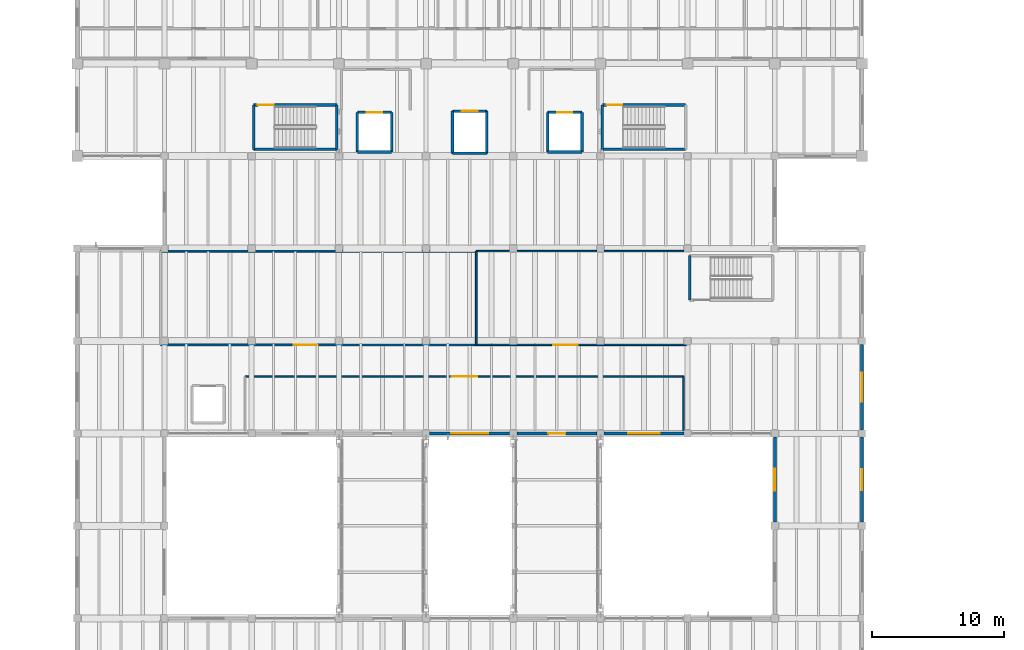
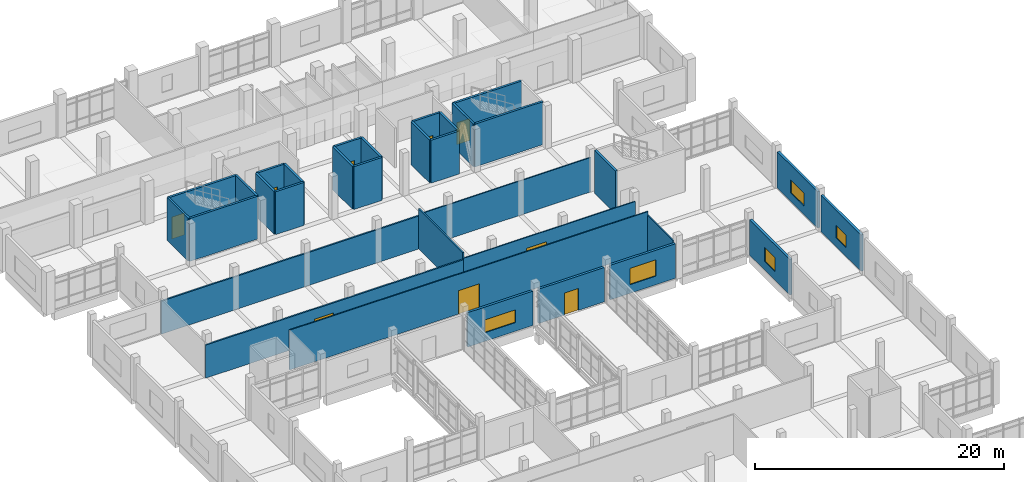
# One storey, part 53 of 67: 33 walls, 9 doors, 5 windows, 14 openings.
"""IFC4 building model written with IfcOpenShell, lengths in metres."""

from ifc_helpers import new_model, si_unit, direction, frame, frame_2d, origin, place, context, subcontext, project, spatial, rectangle, extrude, material, layer, layer_set, type_object, element, fill, save


model = new_model("IFC4")

# Units and contexts
model_context = context("Model", 3, precision=1e-05, world=origin(), true_north=direction((0.0, 1.0)))
body_context = subcontext(model_context, "Body", "Model", "MODEL_VIEW")
ifc_project = project(units=[si_unit("LENGTHUNIT", "METRE"), si_unit("AREAUNIT", "SQUARE_METRE"), si_unit("VOLUMEUNIT", "CUBIC_METRE"), si_unit("PLANEANGLEUNIT", "RADIAN"), si_unit("MASSUNIT", "GRAM", prefix="KILO")], contexts=[model_context])

# Site, building, storey
site_placement = place(None, origin())
site = spatial("IfcSite", under=ifc_project, at=site_placement, CompositionType="ELEMENT")
building_placement = place(site_placement, origin())
building = spatial("IfcBuilding", under=site, at=building_placement, Name="Ciguamira Faculty of Natural Sciences", CompositionType="ELEMENT")
storey_placement = place(building_placement, frame((0.0, 0.0, 8.39990234375)))
storey = spatial("IfcBuildingStorey", under=building, at=storey_placement, Name="L02", CompositionType="ELEMENT", Elevation=8.39990234375)

# Wall, opening, window
ifc_material_1 = material(Name="Precast concrete C40/50", Category="concrete")
ifc_layer_1 = layer(ifc_material_1, 0.219970703125, Name="Precast concrete C40/50")
ifc_layer_set_1 = layer_set([ifc_layer_1], Name="Precast concrete C40/50")
wall_type_1 = type_object("IfcWallType", Name="ExtWall_EW-03_220", PredefinedType="SOLIDWALL", material=ifc_layer_set_1)
wall_1_placement = place(storey_placement, frame((83.97509765625, 73.0, 0.0), z_axis=(0.0, 0.0, 1.0), x_axis=(1.0, 0.0, 0.0)))
wall_1 = element("IfcWall", 1, at=wall_1_placement, inside=storey, type_object=wall_type_1, Name="L02 exterior wall 0222", PredefinedType="SOLIDWALL", context=body_context, shape_type="SweptSolid", body=[
    extrude(rectangle(XDim=6.0498046875, YDim=0.219970703125, at=frame_2d((3.02490234375, 0.0))), origin(), (0.0, 0.0, 1.0), 3.364990234375),
])
opening_1_placement = place(wall_1_placement, frame((1.625, 0.0, 0.85009765625)))
opening_1 = element("IfcOpeningElement", 2, at=opening_1_placement, cuts=wall_1, Name="Opening WT-20", PredefinedType="OPENING", context=body_context, shape_type="SweptSolid", body=[
    extrude(rectangle(XDim=2.800048828125, YDim=1.25, at=frame_2d((1.39990234375, 0.625))), frame((0.0, 0.119873046875, 0.0), z_axis=(0.0, -1.0, 0.0), x_axis=(1.0, 0.0, 0.0)), (0.0, 0.0, 1.0), 0.239990234375),
])
ifc_material_2 = material(Name="Hurricane laminated solar glass", Category="glass")
window_type_1 = type_object("IfcWindowType", Name="Window_WT-20_2800x1250", PartitioningType="DOUBLE_PANEL_VERTICAL", PredefinedType="WINDOW", material=ifc_material_2)
window_1_placement = place(opening_1_placement, origin())
window_1 = element("IfcWindow", 3, at=window_1_placement, inside=storey, type_object=window_type_1, Name="L02 facade window 0130", OverallHeight=1.25, OverallWidth=2.800048828125, PartitioningType="SINGLE_PANEL", PredefinedType="WINDOW", context=body_context, shape_type="SweptSolid", body=[
    extrude(rectangle(XDim=2.800048828125, YDim=1.25, at=frame_2d((1.39990234375, 0.625))), frame((0.0, 0.030029296875, 0.0), z_axis=(0.0, -1.0, 0.0), x_axis=(1.0, 0.0, 0.0)), (0.0, 0.0, 1.0), 0.06005859375),
])
fill(opening_1, window_1)

# Wall, opening, door
wall_2_placement = place(storey_placement, frame((90.574951171875, 73.0, 0.0), z_axis=(0.0, 0.0, 1.0), x_axis=(1.0, 0.0, 0.0)))
wall_2 = element("IfcWall", 4, at=wall_2_placement, inside=storey, type_object=wall_type_1, Name="L02 exterior wall 0223", PredefinedType="SOLIDWALL", context=body_context, shape_type="SweptSolid", body=[
    extrude(rectangle(XDim=6.050048828125, YDim=0.219970703125, at=frame_2d((3.02490234375, 0.0))), origin(), (0.0, 0.0, 1.0), 3.364990234375),
])
opening_2_placement = place(wall_2_placement, frame((2.375, 0.0, 0.0)))
opening_2 = element("IfcOpeningElement", 5, at=opening_2_placement, cuts=wall_2, Name="Opening ED-08", PredefinedType="OPENING", context=body_context, shape_type="SweptSolid", body=[
    extrude(rectangle(XDim=1.300048828125, YDim=2.14990234375, at=frame_2d((0.64990234375, 1.074951171875))), frame((0.0, 0.119873046875, 0.0), z_axis=(0.0, -1.0, 0.0), x_axis=(1.0, 0.0, 0.0)), (0.0, 0.0, 1.0), 0.239990234375),
])
ifc_material_3 = material(Name="Link bridge fire threshold door")
door_type_1 = type_object("IfcDoorType", Name="ExtDoor_ED-08_1300x2150", OperationType="NOTDEFINED", PredefinedType="DOOR", material=ifc_material_3)
door_1_placement = place(opening_2_placement, frame((1.300048828125, 0.0, 0.0), z_axis=(0.0, 0.0, 1.0), x_axis=(-1.0, 0.0, 0.0)))
door_1 = element("IfcDoor", 6, at=door_1_placement, inside=storey, type_object=door_type_1, Name="Bridge BR-2 North Threshold Door", OperationType="DOUBLE_DOOR_SINGLE_SWING", OverallHeight=2.14990234375, OverallWidth=1.300048828125, PredefinedType="DOOR", context=body_context, shape_type="SweptSolid", body=[
    extrude(rectangle(XDim=1.300048828125, YDim=2.14990234375, at=frame_2d((0.64990234375, 1.074951171875))), frame((0.0, 0.02490234375, 0.0), z_axis=(0.0, -1.0, 0.0), x_axis=(1.0, 0.0, 0.0)), (0.0, 0.0, 1.0), 0.050048828125),
])
fill(opening_2, door_1)

# Wall, opening, window
wall_3_placement = place(storey_placement, frame((97.175048828125, 73.0, 0.0), z_axis=(0.0, 0.0, 1.0), x_axis=(1.0, 0.0, 0.0)))
wall_3 = element("IfcWall", 7, at=wall_3_placement, inside=storey, type_object=wall_type_1, Name="L02 exterior wall 0224", PredefinedType="SOLIDWALL", context=body_context, shape_type="SweptSolid", body=[
    extrude(rectangle(XDim=6.050048828125, YDim=0.219970703125, at=frame_2d((3.02490234375, 0.0))), origin(), (0.0, 0.0, 1.0), 3.385009765625),
])
opening_3_placement = place(wall_3_placement, frame((1.824951171875, 0.0, 0.85009765625)))
opening_3 = element("IfcOpeningElement", 8, at=opening_3_placement, cuts=wall_3, Name="Opening WT-23", PredefinedType="OPENING", context=body_context, shape_type="SweptSolid", body=[
    extrude(rectangle(XDim=2.39990234375, YDim=1.60009765625, at=frame_2d((1.199951171875, 0.800048828125))), frame((0.0, 0.119873046875, 0.0), z_axis=(0.0, -1.0, 0.0), x_axis=(1.0, 0.0, 0.0)), (0.0, 0.0, 1.0), 0.239990234375),
])
window_type_2 = type_object("IfcWindowType", Name="Window_WT-23_2400x1600", PartitioningType="DOUBLE_PANEL_VERTICAL", PredefinedType="WINDOW", material=ifc_material_2)
window_2_placement = place(opening_3_placement, origin())
window_2 = element("IfcWindow", 9, at=window_2_placement, inside=storey, type_object=window_type_2, Name="L02 facade window 0131", OverallHeight=1.60009765625, OverallWidth=2.39990234375, PartitioningType="SINGLE_PANEL", PredefinedType="WINDOW", context=body_context, shape_type="SweptSolid", body=[
    extrude(rectangle(XDim=2.39990234375, YDim=1.60009765625, at=frame_2d((1.199951171875, 0.800048828125))), frame((0.0, 0.030029296875, 0.0), z_axis=(0.0, -1.0, 0.0), x_axis=(1.0, 0.0, 0.0)), (0.0, 0.0, 1.0), 0.06005859375),
])
fill(opening_3, window_2)

wall_4_placement = place(storey_placement, frame((110.10009765625, 66.27490234375, 0.0), z_axis=(0.0, 0.0, 1.0), x_axis=(0.0, 1.0, 0.0)))
wall_4 = element("IfcWall", 10, at=wall_4_placement, inside=storey, type_object=wall_type_1, Name="L02 exterior wall 0250", PredefinedType="SOLIDWALL", context=body_context, shape_type="SweptSolid", body=[
    extrude(rectangle(XDim=6.4501953125, YDim=0.219970703125, at=frame_2d((3.22509765625, 0.0))), origin(), (0.0, 0.0, 1.0), 3.465087890625),
])
opening_4_placement = place(wall_4_placement, frame((2.39990234375, 0.0, 0.85009765625)))
opening_4 = element("IfcOpeningElement", 11, at=opening_4_placement, cuts=wall_4, Name="Opening WT-04", PredefinedType="OPENING", context=body_context, shape_type="SweptSolid", body=[
    extrude(rectangle(XDim=1.64990234375, YDim=1.35009765625, at=frame_2d((0.824951171875, 0.675048828125))), frame((0.0, 0.119873046875, 0.0), z_axis=(0.0, -1.0, 0.0), x_axis=(1.0, 0.0, 0.0)), (0.0, 0.0, 1.0), 0.239990234375),
])
window_type_3 = type_object("IfcWindowType", Name="Window_WT-04_1650x1350", PartitioningType="DOUBLE_PANEL_VERTICAL", PredefinedType="WINDOW", material=ifc_material_2)
window_3_placement = place(opening_4_placement, origin())
window_3 = element("IfcWindow", 12, at=window_3_placement, inside=storey, type_object=window_type_3, Name="L02 facade window 0156", OverallHeight=1.35009765625, OverallWidth=1.64990234375, PartitioningType="SINGLE_PANEL", PredefinedType="WINDOW", context=body_context, shape_type="SweptSolid", body=[
    extrude(rectangle(XDim=1.64990234375, YDim=1.35009765625, at=frame_2d((0.824951171875, 0.675048828125))), frame((0.0, 0.030029296875, 0.0), z_axis=(0.0, -1.0, 0.0), x_axis=(1.0, 0.0, 0.0)), (0.0, 0.0, 1.0), 0.06005859375),
])
fill(opening_4, window_3)

wall_5_placement = place(storey_placement, frame((116.699951171875, 66.27490234375, 0.0), z_axis=(0.0, 0.0, 1.0), x_axis=(0.0, 1.0, 0.0)))
wall_5 = element("IfcWall", 13, at=wall_5_placement, inside=storey, type_object=wall_type_1, Name="L02 exterior wall 0256", PredefinedType="SOLIDWALL", context=body_context, shape_type="SweptSolid", body=[
    extrude(rectangle(XDim=6.4501953125, YDim=0.219970703125, at=frame_2d((3.22509765625, 0.0))), origin(), (0.0, 0.0, 1.0), 3.565185546875),
])
opening_5_placement = place(wall_5_placement, frame((2.425048828125, 0.0, 0.85009765625)))
opening_5 = element("IfcOpeningElement", 14, at=opening_5_placement, cuts=wall_5, Name="Opening WT-16", PredefinedType="OPENING", context=body_context, shape_type="SweptSolid", body=[
    extrude(rectangle(XDim=1.60009765625, YDim=1.25, at=frame_2d((0.800048828125, 0.625))), frame((0.0, 0.119873046875, 0.0), z_axis=(0.0, -1.0, 0.0), x_axis=(1.0, 0.0, 0.0)), (0.0, 0.0, 1.0), 0.239990234375),
])
window_type_4 = type_object("IfcWindowType", Name="Window_WT-16_1600x1250", PartitioningType="DOUBLE_PANEL_VERTICAL", PredefinedType="WINDOW", material=ifc_material_2)
window_4_placement = place(opening_5_placement, origin())
window_4 = element("IfcWindow", 15, at=window_4_placement, inside=storey, type_object=window_type_4, Name="L02 facade window 0161", OverallHeight=1.25, OverallWidth=1.60009765625, PartitioningType="SINGLE_PANEL", PredefinedType="WINDOW", context=body_context, shape_type="SweptSolid", body=[
    extrude(rectangle(XDim=1.60009765625, YDim=1.25, at=frame_2d((0.800048828125, 0.625))), frame((0.0, 0.030029296875, 0.0), z_axis=(0.0, -1.0, 0.0), x_axis=(1.0, 0.0, 0.0)), (0.0, 0.0, 1.0), 0.06005859375),
])
fill(opening_5, window_4)

wall_6_placement = place(storey_placement, frame((116.699951171875, 73.27490234375, 0.0), z_axis=(0.0, 0.0, 1.0), x_axis=(0.0, 1.0, 0.0)))
wall_6 = element("IfcWall", 16, at=wall_6_placement, inside=storey, type_object=wall_type_1, Name="L02 exterior wall 0257", PredefinedType="SOLIDWALL", context=body_context, shape_type="SweptSolid", body=[
    extrude(rectangle(XDim=6.4501953125, YDim=0.219970703125, at=frame_2d((3.22509765625, 0.0))), origin(), (0.0, 0.0, 1.0), 3.565185546875),
])
opening_6_placement = place(wall_6_placement, frame((2.125, 0.0, 0.85009765625)))
opening_6 = element("IfcOpeningElement", 17, at=opening_6_placement, cuts=wall_6, Name="Opening WT-18", PredefinedType="OPENING", context=body_context, shape_type="SweptSolid", body=[
    extrude(rectangle(XDim=2.199951171875, YDim=1.25, at=frame_2d((1.10009765625, 0.625))), frame((0.0, 0.119873046875, 0.0), z_axis=(0.0, -1.0, 0.0), x_axis=(1.0, 0.0, 0.0)), (0.0, 0.0, 1.0), 0.239990234375),
])
window_type_5 = type_object("IfcWindowType", Name="Window_WT-18_2200x1250", PartitioningType="DOUBLE_PANEL_VERTICAL", PredefinedType="WINDOW", material=ifc_material_2)
window_5_placement = place(opening_6_placement, origin())
window_5 = element("IfcWindow", 18, at=window_5_placement, inside=storey, type_object=window_type_5, Name="L02 facade window 0162", OverallHeight=1.25, OverallWidth=2.199951171875, PartitioningType="SINGLE_PANEL", PredefinedType="WINDOW", context=body_context, shape_type="SweptSolid", body=[
    extrude(rectangle(XDim=2.199951171875, YDim=1.25, at=frame_2d((1.10009765625, 0.625))), frame((0.0, 0.030029296875, 0.0), z_axis=(0.0, -1.0, 0.0), x_axis=(1.0, 0.0, 0.0)), (0.0, 0.0, 1.0), 0.06005859375),
])
fill(opening_6, window_5)

# Wall
ifc_material_4 = material(Name="Concrete C40/50", Category="concrete")
ifc_layer_2 = layer(ifc_material_4, 0.199951171875, Name="Concrete C40/50")
ifc_layer_set_2 = layer_set([ifc_layer_2], Name="Concrete C40/50")
wall_type_2 = type_object("IfcWallType", Name="IntWall_CW-S20_200", PredefinedType="SHEAR", material=ifc_layer_set_2)
wall_7_placement = place(storey_placement, frame((70.64990234375, 94.5, 0.0), z_axis=(0.0, 0.0, 1.0), x_axis=(1.0, 0.0, 0.0)))
element("IfcWall", 19, at=wall_7_placement, inside=storey, type_object=wall_type_2, Name="L02 ST-T1 core shear wall south", PredefinedType="SHEAR", context=body_context, shape_type="SweptSolid", body=[
    extrude(rectangle(XDim=6.300048828125, YDim=0.199951171875, at=frame_2d((3.14990234375, 0.0))), origin(), (0.0, 0.0, 1.0), 4.2001953125),
])

# Wall, opening, door
wall_8_placement = place(storey_placement, frame((70.64990234375, 97.860107421875, 0.0), z_axis=(0.0, 0.0, 1.0), x_axis=(1.0, 0.0, 0.0)))
wall_8 = element("IfcWall", 20, at=wall_8_placement, inside=storey, type_object=wall_type_2, Name="L02 ST-T1 core shear wall north", PredefinedType="SHEAR", context=body_context, shape_type="SweptSolid", body=[
    extrude(rectangle(XDim=6.300048828125, YDim=0.199951171875, at=frame_2d((3.14990234375, 0.0))), origin(), (0.0, 0.0, 1.0), 4.2001953125),
])
opening_7_placement = place(wall_8_placement, frame((0.320068359375, 0.0, 0.0)))
opening_7 = element("IfcOpeningElement", 21, at=opening_7_placement, cuts=wall_8, Name="Opening ID-14", PredefinedType="OPENING", context=body_context, shape_type="SweptSolid", body=[
    extrude(rectangle(XDim=1.199951171875, YDim=2.14990234375, at=frame_2d((0.60009765625, 1.074951171875))), frame((0.0, 0.10986328125, 0.0), z_axis=(0.0, -1.0, 0.0), x_axis=(1.0, 0.0, 0.0)), (0.0, 0.0, 1.0), 0.219970703125),
])
ifc_material_5 = material(Name="Protected exit stair fire door")
door_type_2 = type_object("IfcDoorType", Name="IntDoor_ID-14_1200x2150", OperationType="NOTDEFINED", PredefinedType="DOOR", material=ifc_material_5)
door_2_placement = place(opening_7_placement, frame((1.199951171875, 0.0, 0.0), z_axis=(0.0, 0.0, 1.0), x_axis=(-1.0, 0.0, 0.0)))
door_2 = element("IfcDoor", 22, at=door_2_placement, inside=storey, type_object=door_type_2, Name="L02 ST-T1 exit stair fire door", OperationType="SINGLE_SWING_RIGHT", OverallHeight=2.14990234375, OverallWidth=1.199951171875, PredefinedType="DOOR", context=body_context, shape_type="SweptSolid", body=[
    extrude(rectangle(XDim=1.199951171875, YDim=2.14990234375, at=frame_2d((0.60009765625, 1.074951171875))), frame((0.0, 0.02490234375, 0.0), z_axis=(0.0, -1.0, 0.0), x_axis=(1.0, 0.0, 0.0)), (0.0, 0.0, 1.0), 0.050048828125),
])
fill(opening_7, door_2)

# Walls
for number, where, z_axis, x_axis, name in (
    (23, (70.64990234375, 94.5, 0.0), (0.0, 0.0, 1.0), (0.0, 1.0, 0.0), "L02 ST-T1 core shear wall west"),
    (24, (76.949951171875, 94.5, 0.0), (0.0, 0.0, 1.0), (0.0, 1.0, 0.0), "L02 ST-T1 core shear wall east"),
):
    element("IfcWall", number, at=place(storey_placement, frame(where, z_axis=z_axis, x_axis=x_axis)), inside=storey, type_object=wall_type_2, Name=name, PredefinedType="SHEAR", context=body_context, shape_type="SweptSolid", body=[
        extrude(rectangle(XDim=3.360107421875, YDim=0.199951171875, at=frame_2d((1.68017578125, 0.0))), origin(), (0.0, 0.0, 1.0), 4.2001953125),
    ])
wall_9_placement = place(storey_placement, frame((97.050048828125, 94.5, 0.0), z_axis=(0.0, 0.0, 1.0), x_axis=(1.0, 0.0, 0.0)))
element("IfcWall", 25, at=wall_9_placement, inside=storey, type_object=wall_type_2, Name="L02 ST-T2 core shear wall south", PredefinedType="SHEAR", context=body_context, shape_type="SweptSolid", body=[
    extrude(rectangle(XDim=6.300048828125, YDim=0.199951171875, at=frame_2d((3.14990234375, 0.0))), origin(), (0.0, 0.0, 1.0), 4.2001953125),
])

# Wall, opening, door
wall_10_placement = place(storey_placement, frame((97.050048828125, 97.860107421875, 0.0), z_axis=(0.0, 0.0, 1.0), x_axis=(1.0, 0.0, 0.0)))
wall_10 = element("IfcWall", 26, at=wall_10_placement, inside=storey, type_object=wall_type_2, Name="L02 ST-T2 core shear wall north", PredefinedType="SHEAR", context=body_context, shape_type="SweptSolid", body=[
    extrude(rectangle(XDim=6.300048828125, YDim=0.199951171875, at=frame_2d((3.14990234375, 0.0))), origin(), (0.0, 0.0, 1.0), 4.2001953125),
])
opening_8_placement = place(wall_10_placement, frame((0.320068359375, 0.0, 0.0)))
opening_8 = element("IfcOpeningElement", 27, at=opening_8_placement, cuts=wall_10, Name="Opening ID-14", PredefinedType="OPENING", context=body_context, shape_type="SweptSolid", body=[
    extrude(rectangle(XDim=1.199951171875, YDim=2.14990234375, at=frame_2d((0.60009765625, 1.074951171875))), frame((0.0, 0.10986328125, 0.0), z_axis=(0.0, -1.0, 0.0), x_axis=(1.0, 0.0, 0.0)), (0.0, 0.0, 1.0), 0.219970703125),
])
door_3_placement = place(opening_8_placement, frame((1.199951171875, 0.0, 0.0), z_axis=(0.0, 0.0, 1.0), x_axis=(-1.0, 0.0, 0.0)))
door_3 = element("IfcDoor", 28, at=door_3_placement, inside=storey, type_object=door_type_2, Name="L02 ST-T2 exit stair fire door", OperationType="SINGLE_SWING_LEFT", OverallHeight=2.14990234375, OverallWidth=1.199951171875, PredefinedType="DOOR", context=body_context, shape_type="SweptSolid", body=[
    extrude(rectangle(XDim=1.199951171875, YDim=2.14990234375, at=frame_2d((0.60009765625, 1.074951171875))), frame((0.0, 0.02490234375, 0.0), z_axis=(0.0, -1.0, 0.0), x_axis=(1.0, 0.0, 0.0)), (0.0, 0.0, 1.0), 0.050048828125),
])
fill(opening_8, door_3)

# Walls
wall_11_placement = place(storey_placement, frame((97.050048828125, 94.5, 0.0), z_axis=(0.0, 0.0, 1.0), x_axis=(0.0, 1.0, 0.0)))
element("IfcWall", 29, at=wall_11_placement, inside=storey, type_object=wall_type_2, Name="L02 ST-T2 core shear wall west", PredefinedType="SHEAR", context=body_context, shape_type="SweptSolid", body=[
    extrude(rectangle(XDim=3.360107421875, YDim=0.199951171875, at=frame_2d((1.68017578125, 0.0))), origin(), (0.0, 0.0, 1.0), 4.2001953125),
])
wall_12_placement = place(storey_placement, frame((103.64990234375, 83.10009765625, 0.0), z_axis=(0.0, 0.0, 1.0), x_axis=(0.0, 1.0, 0.0)))
element("IfcWall", 30, at=wall_12_placement, inside=storey, type_object=wall_type_2, Name="L02 ST-W2 core shear wall west", PredefinedType="SHEAR", context=body_context, shape_type="SweptSolid", body=[
    extrude(rectangle(XDim=3.35986328125, YDim=0.199951171875, at=frame_2d((1.679931640625, 0.0))), origin(), (0.0, 0.0, 1.0), 4.2001953125),
])
wall_13_placement = place(storey_placement, frame((78.5, 94.300048828125, 0.0), z_axis=(0.0, 0.0, 1.0), x_axis=(1.0, 0.0, 0.0)))
element("IfcWall", 31, at=wall_13_placement, inside=storey, type_object=wall_type_2, Name="L02 EL-FF1 hoistway wall south", PredefinedType="SHEAR", context=body_context, shape_type="SweptSolid", body=[
    extrude(rectangle(XDim=2.60009765625, YDim=0.199951171875, at=frame_2d((1.300048828125, 0.0))), origin(), (0.0, 0.0, 1.0), 4.2001953125),
])

# Wall, opening, door
wall_14_placement = place(storey_placement, frame((78.5, 97.300048828125, 0.0), z_axis=(0.0, 0.0, 1.0), x_axis=(1.0, 0.0, 0.0)))
wall_14 = element("IfcWall", 32, at=wall_14_placement, inside=storey, type_object=wall_type_2, Name="L02 EL-FF1 hoistway wall north", PredefinedType="SHEAR", context=body_context, shape_type="SweptSolid", body=[
    extrude(rectangle(XDim=2.60009765625, YDim=0.199951171875, at=frame_2d((1.300048828125, 0.0))), origin(), (0.0, 0.0, 1.0), 4.2001953125),
])
opening_9_placement = place(wall_14_placement, frame((0.72509765625, 0.0, 0.0)))
opening_9 = element("IfcOpeningElement", 33, at=opening_9_placement, cuts=wall_14, Name="Opening LD-03", PredefinedType="OPENING", context=body_context, shape_type="SweptSolid", body=[
    extrude(rectangle(XDim=1.14990234375, YDim=2.199951171875, at=frame_2d((0.574951171875, 1.10009765625))), frame((0.0, 0.10986328125, 0.0), z_axis=(0.0, -1.0, 0.0), x_axis=(1.0, 0.0, 0.0)), (0.0, 0.0, 1.0), 0.219970703125),
])
ifc_material_6 = material(Name="Firefighting lift sliding landing door")
door_type_3 = type_object("IfcDoorType", Name="LiftLandingDoor_LD-03_1150x2200", OperationType="SLIDING_TO_LEFT", PredefinedType="DOOR", material=ifc_material_6)
door_4_placement = place(opening_9_placement, origin())
door_4 = element("IfcDoor", 34, at=door_4_placement, inside=storey, type_object=door_type_3, Name="L02 EL-FF1 elevator landing sliding door", OperationType="SLIDING_TO_LEFT", OverallHeight=2.199951171875, OverallWidth=1.14990234375, PredefinedType="DOOR", context=body_context, shape_type="SweptSolid", body=[
    extrude(rectangle(XDim=1.14990234375, YDim=2.199951171875, at=frame_2d((0.574951171875, 1.10009765625))), frame((0.0, 0.02490234375, 0.0), z_axis=(0.0, -1.0, 0.0), x_axis=(1.0, 0.0, 0.0)), (0.0, 0.0, 1.0), 0.050048828125),
])
fill(opening_9, door_4)

# Walls
for number, where, z_axis, x_axis, name in (
    (35, (78.5, 94.300048828125, 0.0), (0.0, 0.0, 1.0), (0.0, 1.0, 0.0), "L02 EL-FF1 hoistway wall west"),
    (36, (81.10009765625, 94.300048828125, 0.0), (0.0, 0.0, 1.0), (0.0, 1.0, 0.0), "L02 EL-FF1 hoistway wall east"),
):
    element("IfcWall", number, at=place(storey_placement, frame(where, z_axis=z_axis, x_axis=x_axis)), inside=storey, type_object=wall_type_2, Name=name, PredefinedType="SHEAR", context=body_context, shape_type="SweptSolid", body=[
        extrude(rectangle(XDim=3.0, YDim=0.199951171875, at=frame_2d((1.5, 0.0))), origin(), (0.0, 0.0, 1.0), 4.2001953125),
    ])
wall_15_placement = place(storey_placement, frame((92.89990234375, 94.300048828125, 0.0), z_axis=(0.0, 0.0, 1.0), x_axis=(1.0, 0.0, 0.0)))
element("IfcWall", 37, at=wall_15_placement, inside=storey, type_object=wall_type_2, Name="L02 EL-FF2 hoistway wall south", PredefinedType="SHEAR", context=body_context, shape_type="SweptSolid", body=[
    extrude(rectangle(XDim=2.60009765625, YDim=0.199951171875, at=frame_2d((1.300048828125, 0.0))), origin(), (0.0, 0.0, 1.0), 4.2001953125),
])

# Wall, opening, door
wall_16_placement = place(storey_placement, frame((92.89990234375, 97.300048828125, 0.0), z_axis=(0.0, 0.0, 1.0), x_axis=(1.0, 0.0, 0.0)))
wall_16 = element("IfcWall", 38, at=wall_16_placement, inside=storey, type_object=wall_type_2, Name="L02 EL-FF2 hoistway wall north", PredefinedType="SHEAR", context=body_context, shape_type="SweptSolid", body=[
    extrude(rectangle(XDim=2.60009765625, YDim=0.199951171875, at=frame_2d((1.300048828125, 0.0))), origin(), (0.0, 0.0, 1.0), 4.2001953125),
])
opening_10_placement = place(wall_16_placement, frame((0.72509765625, 0.0, 0.0)))
opening_10 = element("IfcOpeningElement", 39, at=opening_10_placement, cuts=wall_16, Name="Opening LD-03", PredefinedType="OPENING", context=body_context, shape_type="SweptSolid", body=[
    extrude(rectangle(XDim=1.14990234375, YDim=2.199951171875, at=frame_2d((0.574951171875, 1.10009765625))), frame((0.0, 0.10986328125, 0.0), z_axis=(0.0, -1.0, 0.0), x_axis=(1.0, 0.0, 0.0)), (0.0, 0.0, 1.0), 0.219970703125),
])
door_5_placement = place(opening_10_placement, origin())
door_5 = element("IfcDoor", 40, at=door_5_placement, inside=storey, type_object=door_type_3, Name="L02 EL-FF2 elevator landing sliding door", OperationType="SLIDING_TO_LEFT", OverallHeight=2.199951171875, OverallWidth=1.14990234375, PredefinedType="DOOR", context=body_context, shape_type="SweptSolid", body=[
    extrude(rectangle(XDim=1.14990234375, YDim=2.199951171875, at=frame_2d((0.574951171875, 1.10009765625))), frame((0.0, 0.02490234375, 0.0), z_axis=(0.0, -1.0, 0.0), x_axis=(1.0, 0.0, 0.0)), (0.0, 0.0, 1.0), 0.050048828125),
])
fill(opening_10, door_5)

# Walls
for number, where, z_axis, x_axis, name in (
    (41, (92.89990234375, 94.300048828125, 0.0), (0.0, 0.0, 1.0), (0.0, 1.0, 0.0), "L02 EL-FF2 hoistway wall west"),
    (42, (95.5, 94.300048828125, 0.0), (0.0, 0.0, 1.0), (0.0, 1.0, 0.0), "L02 EL-FF2 hoistway wall east"),
):
    element("IfcWall", number, at=place(storey_placement, frame(where, z_axis=z_axis, x_axis=x_axis)), inside=storey, type_object=wall_type_2, Name=name, PredefinedType="SHEAR", context=body_context, shape_type="SweptSolid", body=[
        extrude(rectangle(XDim=3.0, YDim=0.199951171875, at=frame_2d((1.5, 0.0))), origin(), (0.0, 0.0, 1.0), 4.2001953125),
    ])
wall_17_placement = place(storey_placement, frame((85.699951171875, 94.199951171875, 0.0), z_axis=(0.0, 0.0, 1.0), x_axis=(1.0, 0.0, 0.0)))
element("IfcWall", 43, at=wall_17_placement, inside=storey, type_object=wall_type_2, Name="L02 EL-P1 hoistway wall south", PredefinedType="SHEAR", context=body_context, shape_type="SweptSolid", body=[
    extrude(rectangle(XDim=2.60009765625, YDim=0.199951171875, at=frame_2d((1.300048828125, 0.0))), origin(), (0.0, 0.0, 1.0), 4.2001953125),
])

# Wall, opening, door
wall_18_placement = place(storey_placement, frame((85.699951171875, 97.39990234375, 0.0), z_axis=(0.0, 0.0, 1.0), x_axis=(1.0, 0.0, 0.0)))
wall_18 = element("IfcWall", 44, at=wall_18_placement, inside=storey, type_object=wall_type_2, Name="L02 EL-P1 hoistway wall north", PredefinedType="SHEAR", context=body_context, shape_type="SweptSolid", body=[
    extrude(rectangle(XDim=2.60009765625, YDim=0.199951171875, at=frame_2d((1.300048828125, 0.0))), origin(), (0.0, 0.0, 1.0), 4.2001953125),
])
opening_11_placement = place(wall_18_placement, frame((0.699951171875, 0.0, 0.0)))
opening_11 = element("IfcOpeningElement", 45, at=opening_11_placement, cuts=wall_18, Name="Opening LD-02", PredefinedType="OPENING", context=body_context, shape_type="SweptSolid", body=[
    extrude(rectangle(XDim=1.199951171875, YDim=2.199951171875, at=frame_2d((0.60009765625, 1.10009765625))), frame((0.0, 0.10986328125, 0.0), z_axis=(0.0, -1.0, 0.0), x_axis=(1.0, 0.0, 0.0)), (0.0, 0.0, 1.0), 0.219970703125),
])
ifc_material_7 = material(Name="Stretcher elevator sliding landing door")
door_type_4 = type_object("IfcDoorType", Name="LiftLandingDoor_LD-02_1200x2200", OperationType="SLIDING_TO_LEFT", PredefinedType="DOOR", material=ifc_material_7)
door_6_placement = place(opening_11_placement, origin())
door_6 = element("IfcDoor", 46, at=door_6_placement, inside=storey, type_object=door_type_4, Name="L02 EL-P1 elevator landing sliding door", OperationType="SLIDING_TO_LEFT", OverallHeight=2.199951171875, OverallWidth=1.199951171875, PredefinedType="DOOR", context=body_context, shape_type="SweptSolid", body=[
    extrude(rectangle(XDim=1.199951171875, YDim=2.199951171875, at=frame_2d((0.60009765625, 1.10009765625))), frame((0.0, 0.02490234375, 0.0), z_axis=(0.0, -1.0, 0.0), x_axis=(1.0, 0.0, 0.0)), (0.0, 0.0, 1.0), 0.050048828125),
])
fill(opening_11, door_6)

# Walls
for number, where, z_axis, x_axis, name in (
    (47, (85.699951171875, 94.199951171875, 0.0), (0.0, 0.0, 1.0), (0.0, 1.0, 0.0), "L02 EL-P1 hoistway wall west"),
    (48, (88.300048828125, 94.199951171875, 0.0), (0.0, 0.0, 1.0), (0.0, 1.0, 0.0), "L02 EL-P1 hoistway wall east"),
):
    element("IfcWall", number, at=place(storey_placement, frame(where, z_axis=z_axis, x_axis=x_axis)), inside=storey, type_object=wall_type_2, Name=name, PredefinedType="SHEAR", context=body_context, shape_type="SweptSolid", body=[
        extrude(rectangle(XDim=3.199951171875, YDim=0.199951171875, at=frame_2d((1.60009765625, 0.0))), origin(), (0.0, 0.0, 1.0), 4.2001953125),
    ])

# Wall, opening, door
ifc_material_8 = material(Name="Fire-rated gypsum partition")
ifc_layer_3 = layer(ifc_material_8, 0.10009765625, Name="Fire-rated gypsum partition")
ifc_layer_set_3 = layer_set([ifc_layer_3], Name="Fire-rated gypsum partition")
wall_type_3 = type_object("IfcWallType", Name="IntWall_IW-A10_100", PredefinedType="PARTITIONING", material=ifc_layer_set_3)
wall_19_placement = place(storey_placement, frame((87.5, 79.699951171875, 0.0), z_axis=(0.0, 0.0, 1.0), x_axis=(1.0, 0.0, 0.0)))
wall_19 = element("IfcWall", 49, at=wall_19_placement, inside=storey, type_object=wall_type_3, Name="L02 Precision Instrument Balance Room partition south", PredefinedType="PARTITIONING", context=body_context, shape_type="SweptSolid", body=[
    extrude(rectangle(XDim=15.89990234375, YDim=0.10009765625, at=frame_2d((7.949951171875, 0.0))), origin(), (0.0, 0.0, 1.0), 3.364990234375),
])
opening_12_placement = place(wall_19_placement, frame((5.824951171875, 0.0, 0.0)))
opening_12 = element("IfcOpeningElement", 50, at=opening_12_placement, cuts=wall_19, Name="Opening ID-12", PredefinedType="OPENING", context=body_context, shape_type="SweptSolid", body=[
    extrude(rectangle(XDim=1.85009765625, YDim=2.300048828125, at=frame_2d((0.925048828125, 1.14990234375))), frame((0.0, 0.06005859375, 0.0), z_axis=(0.0, -1.0, 0.0), x_axis=(1.0, 0.0, 0.0)), (0.0, 0.0, 1.0), 0.1201171875),
])
ifc_material_9 = material(Name="Lecture auditorium acoustic double door")
door_type_5 = type_object("IfcDoorType", Name="IntDoor_ID-12_1850x2300", OperationType="NOTDEFINED", PredefinedType="DOOR", material=ifc_material_9)
door_7_placement = place(opening_12_placement, origin())
door_7 = element("IfcDoor", 51, at=door_7_placement, inside=storey, type_object=door_type_5, Name="L02 Precision Instrument Balance Room door", OperationType="SINGLE_SWING_LEFT", OverallHeight=2.300048828125, OverallWidth=1.85009765625, PredefinedType="DOOR", context=body_context, shape_type="SweptSolid", body=[
    extrude(rectangle(XDim=1.85009765625, YDim=2.300048828125, at=frame_2d((0.925048828125, 1.14990234375))), frame((0.0, 0.02490234375, 0.0), z_axis=(0.0, -1.0, 0.0), x_axis=(1.0, 0.0, 0.0)), (0.0, 0.0, 1.0), 0.050048828125),
])
fill(opening_12, door_7)

# Wall
wall_20_placement = place(storey_placement, frame((87.5, 86.800048828125, 0.0), z_axis=(0.0, 0.0, 1.0), x_axis=(1.0, 0.0, 0.0)))
element("IfcWall", 52, at=wall_20_placement, inside=storey, type_object=wall_type_3, Name="L02 Precision Instrument Balance Room partition north", PredefinedType="PARTITIONING", context=body_context, shape_type="SweptSolid", body=[
    extrude(rectangle(XDim=15.89990234375, YDim=0.10009765625, at=frame_2d((7.949951171875, 0.0))), origin(), (0.0, 0.0, 1.0), 3.364990234375),
])

# Wall, opening, door
wall_21_placement = place(storey_placement, frame((70.0, 77.300048828125, 0.0), z_axis=(0.0, 0.0, 1.0), x_axis=(1.0, 0.0, 0.0)))
wall_21 = element("IfcWall", 53, at=wall_21_placement, inside=storey, type_object=wall_type_3, Name="L02 L02 Court Overlook Write-Up Studio partition north", PredefinedType="PARTITIONING", context=body_context, shape_type="SweptSolid", body=[
    extrude(rectangle(XDim=33.199951171875, YDim=0.10009765625, at=frame_2d((16.60009765625, 0.0))), origin(), (0.0, 0.0, 1.0), 3.900146484375),
])
opening_13_placement = place(wall_21_placement, frame((15.625, 0.0, 0.0)))
opening_13 = element("IfcOpeningElement", 54, at=opening_13_placement, cuts=wall_21, Name="Opening ID-13", PredefinedType="OPENING", context=body_context, shape_type="SweptSolid", body=[
    extrude(rectangle(XDim=1.949951171875, YDim=2.300048828125, at=frame_2d((0.97509765625, 1.14990234375))), frame((0.0, 0.06005859375, 0.0), z_axis=(0.0, -1.0, 0.0), x_axis=(1.0, 0.0, 0.0)), (0.0, 0.0, 1.0), 0.1201171875),
])
ifc_material_10 = material(Name="Atrium concourse double fire door")
door_type_6 = type_object("IfcDoorType", Name="IntDoor_ID-13_1950x2300", OperationType="NOTDEFINED", PredefinedType="DOOR", material=ifc_material_10)
door_8_placement = place(opening_13_placement, frame((1.949951171875, 0.0, 0.0), z_axis=(0.0, 0.0, 1.0), x_axis=(-1.0, 0.0, 0.0)))
door_8 = element("IfcDoor", 55, at=door_8_placement, inside=storey, type_object=door_type_6, Name="L02 L02 Court Overlook Write-Up Studio door", OperationType="SINGLE_SWING_RIGHT", OverallHeight=2.300048828125, OverallWidth=1.949951171875, PredefinedType="DOOR", context=body_context, shape_type="SweptSolid", body=[
    extrude(rectangle(XDim=1.949951171875, YDim=2.300048828125, at=frame_2d((0.97509765625, 1.14990234375))), frame((0.0, 0.02490234375, 0.0), z_axis=(0.0, -1.0, 0.0), x_axis=(1.0, 0.0, 0.0)), (0.0, 0.0, 1.0), 0.050048828125),
])
fill(opening_13, door_8)

# Wall
wall_22_placement = place(storey_placement, frame((103.199951171875, 73.199951171875, 0.0), z_axis=(0.0, 0.0, 1.0), x_axis=(0.0, 1.0, 0.0)))
element("IfcWall", 56, at=wall_22_placement, inside=storey, type_object=wall_type_3, Name="L02 L02 Court Overlook Write-Up Studio partition east", PredefinedType="PARTITIONING", context=body_context, shape_type="SweptSolid", body=[
    extrude(rectangle(XDim=4.10009765625, YDim=0.10009765625, at=frame_2d((2.050048828125, 0.0))), origin(), (0.0, 0.0, 1.0), 3.545166015625),
])

# Wall, opening, door
ifc_material_11 = material(Name="Moisture-resistant service chase wall")
ifc_layer_4 = layer(ifc_material_11, 0.139892578125, Name="Moisture-resistant service chase wall")
ifc_layer_set_4 = layer_set([ifc_layer_4], Name="Moisture-resistant service chase wall")
wall_type_4 = type_object("IfcWallType", Name="IntWall_IW-P14_140", PredefinedType="PLUMBINGWALL", material=ifc_layer_set_4)
wall_23_placement = place(storey_placement, frame((63.60009765625, 79.699951171875, 0.0), z_axis=(0.0, 0.0, 1.0), x_axis=(1.0, 0.0, 0.0)))
wall_23 = element("IfcWall", 57, at=wall_23_placement, inside=storey, type_object=wall_type_4, Name="L02 Environmental Geochemistry Laboratory partition south", PredefinedType="PLUMBINGWALL", context=body_context, shape_type="SweptSolid", body=[
    extrude(rectangle(XDim=23.89990234375, YDim=0.139892578125, at=frame_2d((11.949951171875, 0.0))), origin(), (0.0, 0.0, 1.0), 3.235107421875),
])
opening_14_placement = place(wall_23_placement, frame((10.074951171875, 0.0, 0.0)))
opening_14 = element("IfcOpeningElement", 58, at=opening_14_placement, cuts=wall_23, Name="Opening ID-11", PredefinedType="OPENING", context=body_context, shape_type="SweptSolid", body=[
    extrude(rectangle(XDim=1.75, YDim=2.25, at=frame_2d((0.875, 1.125))), frame((0.0, 0.079833984375, 0.0), z_axis=(0.0, -1.0, 0.0), x_axis=(1.0, 0.0, 0.0)), (0.0, 0.0, 1.0), 0.159912109375),
])
ifc_material_12 = material(Name="Exhibition gallery double door")
door_type_7 = type_object("IfcDoorType", Name="IntDoor_ID-11_1750x2250", OperationType="NOTDEFINED", PredefinedType="DOOR", material=ifc_material_12)
door_9_placement = place(opening_14_placement, origin())
door_9 = element("IfcDoor", 59, at=door_9_placement, inside=storey, type_object=door_type_7, Name="L02 Environmental Geochemistry Laboratory door", OperationType="SINGLE_SWING_RIGHT", OverallHeight=2.25, OverallWidth=1.75, PredefinedType="DOOR", context=body_context, shape_type="SweptSolid", body=[
    extrude(rectangle(XDim=1.75, YDim=2.25, at=frame_2d((0.875, 1.125))), frame((0.0, 0.02490234375, 0.0), z_axis=(0.0, -1.0, 0.0), x_axis=(1.0, 0.0, 0.0)), (0.0, 0.0, 1.0), 0.050048828125),
])
fill(opening_14, door_9)

# Walls
wall_24_placement = place(storey_placement, frame((63.60009765625, 86.800048828125, 0.0), z_axis=(0.0, 0.0, 1.0), x_axis=(1.0, 0.0, 0.0)))
element("IfcWall", 60, at=wall_24_placement, inside=storey, type_object=wall_type_4, Name="L02 Environmental Geochemistry Laboratory partition north", PredefinedType="PLUMBINGWALL", context=body_context, shape_type="SweptSolid", body=[
    extrude(rectangle(XDim=23.89990234375, YDim=0.139892578125, at=frame_2d((11.949951171875, 0.0))), origin(), (0.0, 0.0, 1.0), 3.235107421875),
])
wall_25_placement = place(storey_placement, frame((87.5, 79.699951171875, 0.0), z_axis=(0.0, 0.0, 1.0), x_axis=(0.0, 1.0, 0.0)))
element("IfcWall", 61, at=wall_25_placement, inside=storey, type_object=wall_type_4, Name="L02 Environmental Geochemistry Laboratory partition east", PredefinedType="PLUMBINGWALL", context=body_context, shape_type="SweptSolid", body=[
    extrude(rectangle(XDim=7.10009765625, YDim=0.139892578125, at=frame_2d((3.550048828125, 0.0))), origin(), (0.0, 0.0, 1.0), 3.900146484375),
])

save(model, "model.ifc")
